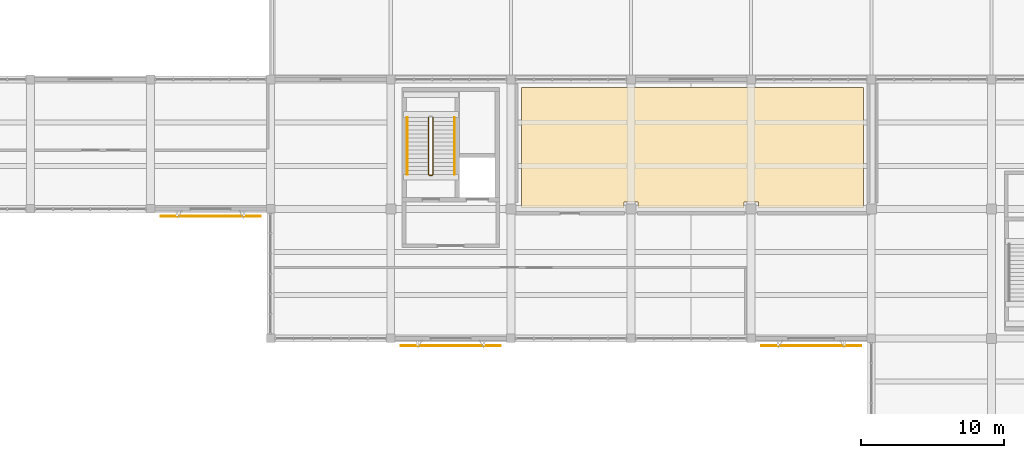
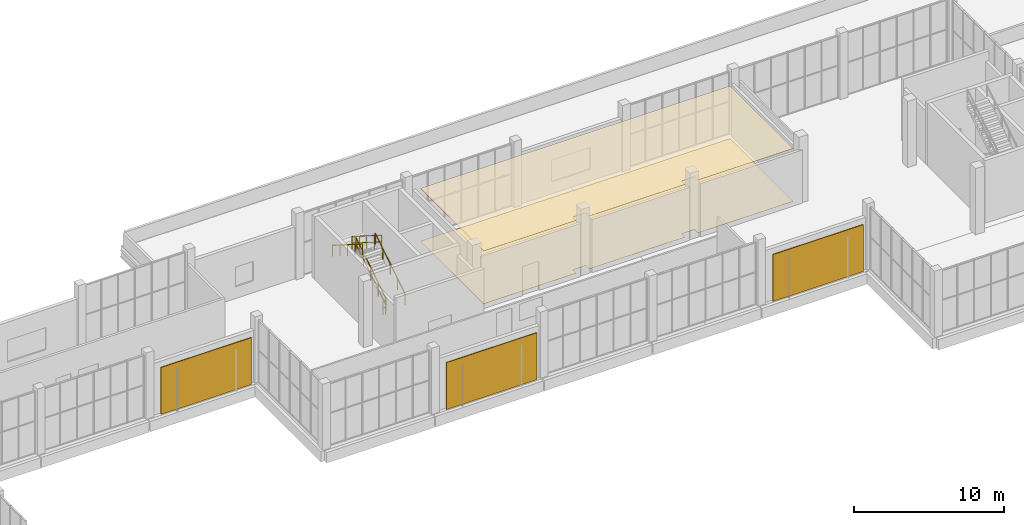
# One storey, part 129 of 132: 5 railings, 3 shading devices, 2 coverings.
"""IFC4 building model written with IfcOpenShell, lengths in metres."""

from ifc_helpers import new_model, si_unit, direction, frame, origin, origin_2d, place, context, subcontext, project, spatial, polyline, rectangle, circle, outline, extrude, material, layer, layer_set, type_object, element, save


model = new_model("IFC4")

# Units and contexts
model_context = context("Model", 3, precision=1e-05, world=origin(), true_north=direction((0.0, 1.0)))
body_context = subcontext(model_context, "Body", "Model", "MODEL_VIEW")
ifc_project = project(units=[si_unit("LENGTHUNIT", "METRE"), si_unit("AREAUNIT", "SQUARE_METRE"), si_unit("VOLUMEUNIT", "CUBIC_METRE"), si_unit("PLANEANGLEUNIT", "RADIAN"), si_unit("MASSUNIT", "GRAM", prefix="KILO")], contexts=[model_context])

# Site, building, storey
site_placement = place(None, origin())
site = spatial("IfcSite", under=ifc_project, at=site_placement, CompositionType="ELEMENT")
building_placement = place(site_placement, origin())
building = spatial("IfcBuilding", under=site, at=building_placement, Name="Khurvash Pelagic Aquarium", CompositionType="ELEMENT")
storey_placement = place(building_placement, frame((0.0, 0.0, 5.39990234375)))
storey = spatial("IfcBuildingStorey", under=building, at=storey_placement, Name="L01", CompositionType="ELEMENT", Elevation=5.39990234375)

# Coverings
ifc_material_1 = material(Name="Moisture-resistant acoustic mineral-fibre ceiling", Category="finish")
ifc_layer_1 = layer(ifc_material_1, 0.02490234375)
ifc_layer_set_1 = layer_set([ifc_layer_1], Name="Moisture-resistant acoustic mineral-fibre ceiling")
covering_type_1 = type_object("IfcCoveringType", Name="CV-CLG", PredefinedType="CEILING", material=ifc_layer_set_1)
covering_1_placement = place(storey_placement, frame((0.0, 0.0, 4.30517578125)))
element("IfcCovering", 1, at=covering_1_placement, inside=storey, type_object=covering_type_1, Name="L01 Invertebrate Quarantine Suite Suspended Acoustic Ceiling", PredefinedType="CEILING", context=body_context, shape_type="SweptSolid", body=[
    extrude(outline(polyline([(76.35009765625, 101.60009765625), (76.35009765625, 93.14990234375), (83.5, 93.14990234375), (83.5, 93.60009765625), (84.5, 93.60009765625), (84.5, 93.14990234375), (91.89990234375, 93.14990234375), (91.89990234375, 93.60009765625), (92.89990234375, 93.60009765625), (92.89990234375, 93.14990234375), (100.25, 93.14990234375), (100.25, 101.60009765625), (76.35009765625, 101.60009765625)])), origin(), (0.0, 0.0, 1.0), 0.02490234375),
])
ifc_material_2 = material(Name="Slip-resistant terrazzo and epoxy resin flooring", Category="finish")
ifc_layer_2 = layer(ifc_material_2, 0.02001953125)
ifc_layer_set_2 = layer_set([ifc_layer_2], Name="Slip-resistant terrazzo and epoxy resin flooring")
covering_type_2 = type_object("IfcCoveringType", Name="CV-FLR", PredefinedType="FLOORING", material=ifc_layer_set_2)
covering_2_placement = place(storey_placement, origin())
element("IfcCovering", 2, at=covering_2_placement, inside=storey, type_object=covering_type_2, Name="L01 Invertebrate Quarantine Suite Terrazzo Floor Finish", PredefinedType="FLOORING", context=body_context, shape_type="SweptSolid", body=[
    extrude(outline(polyline([(76.35009765625, 101.60009765625), (76.35009765625, 93.14990234375), (83.5, 93.14990234375), (83.5, 93.60009765625), (84.5, 93.60009765625), (84.5, 93.14990234375), (91.89990234375, 93.14990234375), (91.89990234375, 93.60009765625), (92.89990234375, 93.60009765625), (92.89990234375, 93.14990234375), (100.25, 93.14990234375), (100.25, 101.60009765625), (76.35009765625, 101.60009765625)])), origin(), (0.0, 0.0, 1.0), 0.02001953125),
])

# Railings
ifc_material_3 = material(Name="Powder-coated galvanised steel S355J2", Category="steel")
railing_type_1 = type_object("IfcRailingType", Name="GR-01", PredefinedType="GUARDRAIL", material=ifc_material_3)
railing_1_placement = place(storey_placement, frame((70.14990234375, 95.5, 0.18017578125)))
element("IfcRailing", 3, at=railing_1_placement, inside=storey, type_object=railing_type_1, Name="L01 ST-04 stair guard 1", PredefinedType="GUARDRAIL", context=body_context, shape_type="SweptSolid", body=[
    extrude(circle(Radius=0.02392578125, at=origin_2d()), frame((0.0, 0.0, 1.076171875), z_axis=(0.0, 0.845486444383, 0.533996884227), x_axis=(-1.0, 0.0, 0.0)), (0.0, 0.0, 1.0), 4.71923828125),
    extrude(circle(Radius=0.02392578125, at=origin_2d()), frame((0.0, 0.0, 0.5380859375), z_axis=(0.0, 0.845486444383, 0.533996884227), x_axis=(-1.0, 0.0, 0.0)), (0.0, 0.0, 1.0), 4.71923828125),
    extrude(circle(Radius=0.02099609375, at=origin_2d()), origin(), (0.0, 0.0, 1.0), 1.052001953125),
    extrude(circle(Radius=0.02099609375, at=origin_2d()), frame((0.0, 0.99755859375, 0.6298828125)), (0.0, 0.0, 1.0), 1.052001953125),
    extrude(circle(Radius=0.02099609375, at=origin_2d()), frame((0.0, 1.9951171875, 1.260009765625)), (0.0, 0.0, 1.0), 1.052001953125),
    extrude(circle(Radius=0.02099609375, at=origin_2d()), frame((0.0, 2.992431640625, 1.89013671875)), (0.0, 0.0, 1.0), 1.052001953125),
    extrude(circle(Radius=0.02099609375, at=origin_2d()), frame((0.0, 3.989990234375, 2.52001953125)), (0.0, 0.0, 1.0), 1.052001953125),
])
railing_2_placement = place(storey_placement, frame((69.85009765625, 99.489990234375, 2.880126953125)))
element("IfcRailing", 4, at=railing_2_placement, inside=storey, type_object=railing_type_1, Name="L01 ST-04 stair guard 3", PredefinedType="GUARDRAIL", context=body_context, shape_type="SweptSolid", body=[
    extrude(circle(Radius=0.02392578125, at=origin_2d()), frame((0.0, 0.0, 1.076171875), z_axis=(0.0, -0.845486444383, 0.533996884227), x_axis=(1.0, 0.0, 0.0)), (0.0, 0.0, 1.0), 4.71923828125),
    extrude(circle(Radius=0.02392578125, at=origin_2d()), frame((0.0, 0.0, 0.5380859375), z_axis=(0.0, -0.845486444383, 0.533996884227), x_axis=(1.0, 0.0, 0.0)), (0.0, 0.0, 1.0), 4.71923828125),
    extrude(circle(Radius=0.02099609375, at=origin_2d()), origin(), (0.0, 0.0, 1.0), 1.052001953125),
    extrude(circle(Radius=0.02099609375, at=origin_2d()), frame((0.0, -0.99755859375, 0.6298828125)), (0.0, 0.0, 1.0), 1.052001953125),
    extrude(circle(Radius=0.02099609375, at=origin_2d()), frame((0.0, -1.9951171875, 1.260009765625)), (0.0, 0.0, 1.0), 1.052001953125),
    extrude(circle(Radius=0.02099609375, at=origin_2d()), frame((0.0, -2.992431640625, 1.89013671875)), (0.0, 0.0, 1.0), 1.052001953125),
    extrude(circle(Radius=0.02099609375, at=origin_2d()), frame((0.0, -3.989990234375, 2.52001953125)), (0.0, 0.0, 1.0), 1.052001953125),
])
railing_3_placement = place(storey_placement, frame((70.10009765625, 95.449951171875, 0.0)))
element("IfcRailing", 5, at=railing_3_placement, inside=storey, type_object=railing_type_1, Name="L01 ST-04 stair guard 4", PredefinedType="GUARDRAIL", context=body_context, shape_type="SweptSolid", body=[
    extrude(circle(Radius=0.02392578125, at=origin_2d()), frame((0.0, 0.0, 1.076171875), z_axis=(-1.0, 0.0, 0.0), x_axis=(0.0, -1.0, 0.0)), (0.0, 0.0, 1.0), 0.2001953125),
    extrude(circle(Radius=0.02392578125, at=origin_2d()), frame((0.0, 0.0, 0.5380859375), z_axis=(-1.0, 0.0, 0.0), x_axis=(0.0, -1.0, 0.0)), (0.0, 0.0, 1.0), 0.2001953125),
    extrude(circle(Radius=0.02099609375, at=origin_2d()), origin(), (0.0, 0.0, 1.0), 1.052001953125),
    extrude(circle(Radius=0.02099609375, at=origin_2d()), frame((-0.2001953125, 0.0, 0.0)), (0.0, 0.0, 1.0), 1.052001953125),
])
ifc_material_4 = material(Name="Brushed stainless steel 316", Category="steel")
railing_type_2 = type_object("IfcRailingType", Name="HR-01", PredefinedType="HANDRAIL", material=ifc_material_4)
railing_4_placement = place(storey_placement, frame((71.64990234375, 95.5, 0.18017578125)))
element("IfcRailing", 6, at=railing_4_placement, inside=storey, type_object=railing_type_2, Name="L01 ST-04 stair handrail 1", PredefinedType="HANDRAIL", context=body_context, shape_type="SweptSolid", body=[
    extrude(circle(Radius=0.02392578125, at=origin_2d()), frame((0.0, 0.0, 0.8759765625), z_axis=(0.0, 0.845486444383, 0.533996884227), x_axis=(-1.0, 0.0, 0.0)), (0.0, 0.0, 1.0), 4.71923828125),
    extrude(circle(Radius=0.02099609375, at=origin_2d()), origin(), (0.0, 0.0, 1.0), 0.851806640625),
    extrude(circle(Radius=0.02099609375, at=origin_2d()), frame((0.0, 0.99755859375, 0.6298828125)), (0.0, 0.0, 1.0), 0.851806640625),
    extrude(circle(Radius=0.02099609375, at=origin_2d()), frame((0.0, 1.9951171875, 1.260009765625)), (0.0, 0.0, 1.0), 0.851806640625),
    extrude(circle(Radius=0.02099609375, at=origin_2d()), frame((0.0, 2.992431640625, 1.89013671875)), (0.0, 0.0, 1.0), 0.851806640625),
    extrude(circle(Radius=0.02099609375, at=origin_2d()), frame((0.0, 3.989990234375, 2.52001953125)), (0.0, 0.0, 1.0), 0.851806640625),
])
railing_5_placement = place(storey_placement, frame((68.35009765625, 99.489990234375, 2.880126953125)))
element("IfcRailing", 7, at=railing_5_placement, inside=storey, type_object=railing_type_2, Name="L01 ST-04 stair handrail 2", PredefinedType="HANDRAIL", context=body_context, shape_type="SweptSolid", body=[
    extrude(circle(Radius=0.02392578125, at=origin_2d()), frame((0.0, 0.0, 0.8759765625), z_axis=(0.0, -0.845486444383, 0.533996884227), x_axis=(1.0, 0.0, 0.0)), (0.0, 0.0, 1.0), 4.71923828125),
    extrude(circle(Radius=0.02099609375, at=origin_2d()), origin(), (0.0, 0.0, 1.0), 0.851806640625),
    extrude(circle(Radius=0.02099609375, at=origin_2d()), frame((0.0, -0.99755859375, 0.6298828125)), (0.0, 0.0, 1.0), 0.851806640625),
    extrude(circle(Radius=0.02099609375, at=origin_2d()), frame((0.0, -1.9951171875, 1.260009765625)), (0.0, 0.0, 1.0), 0.851806640625),
    extrude(circle(Radius=0.02099609375, at=origin_2d()), frame((0.0, -2.992431640625, 1.89013671875)), (0.0, 0.0, 1.0), 0.851806640625),
    extrude(circle(Radius=0.02099609375, at=origin_2d()), frame((0.0, -3.989990234375, 2.52001953125)), (0.0, 0.0, 1.0), 0.851806640625),
])

# Shading devices
ifc_material_5 = material(Name="Perforated anodised aluminium AW-5005", Category="aluminium")
ifc_layer_3 = layer(ifc_material_5, 0.06005859375)
ifc_layer_set_3 = layer_set([ifc_layer_3], Name="Perforated anodised aluminium AW-5005")
shading_device_type = type_object("IfcShadingDeviceType", Name="SH-JAL", PredefinedType="JALOUSIE", material=ifc_layer_set_3)
for number, where, z_axis, x_axis, name in (
    (8, (54.60009765625, 92.580078125, 0.199951171875), (0.0, 0.0, 1.0), (1.0, 0.0, 0.0), "L01 Perforated Aluminium Jali Screen SH-JAL 0009"),
    (9, (71.39990234375, 83.530029296875, 0.199951171875), (0.0, 0.0, 1.0), (1.0, 0.0, 0.0), "L01 Perforated Aluminium Jali Screen SH-JAL 0010"),
    (10, (96.60009765625, 83.530029296875, 0.199951171875), (0.0, 0.0, 1.0), (1.0, 0.0, 0.0), "L01 Perforated Aluminium Jali Screen SH-JAL 0011"),
):
    element("IfcShadingDevice", number, at=place(storey_placement, frame(where, z_axis=z_axis, x_axis=x_axis)), inside=storey, type_object=shading_device_type, Name=name, PredefinedType="JALOUSIE", context=body_context, shape_type="SweptSolid", body=[
        extrude(rectangle(XDim=6.989990234375, YDim=0.06005859375, at=origin_2d()), origin(), (0.0, 0.0, 1.0), 3.830078125),
    ])

save(model, "model.ifc")
